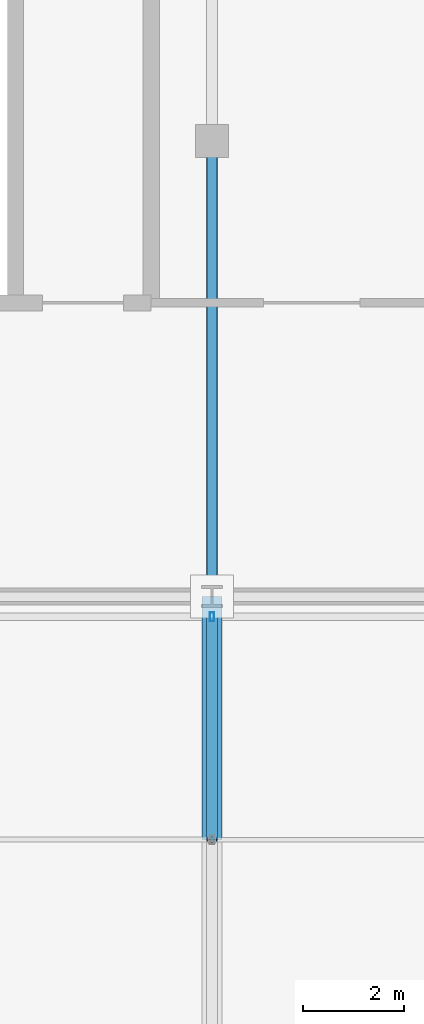
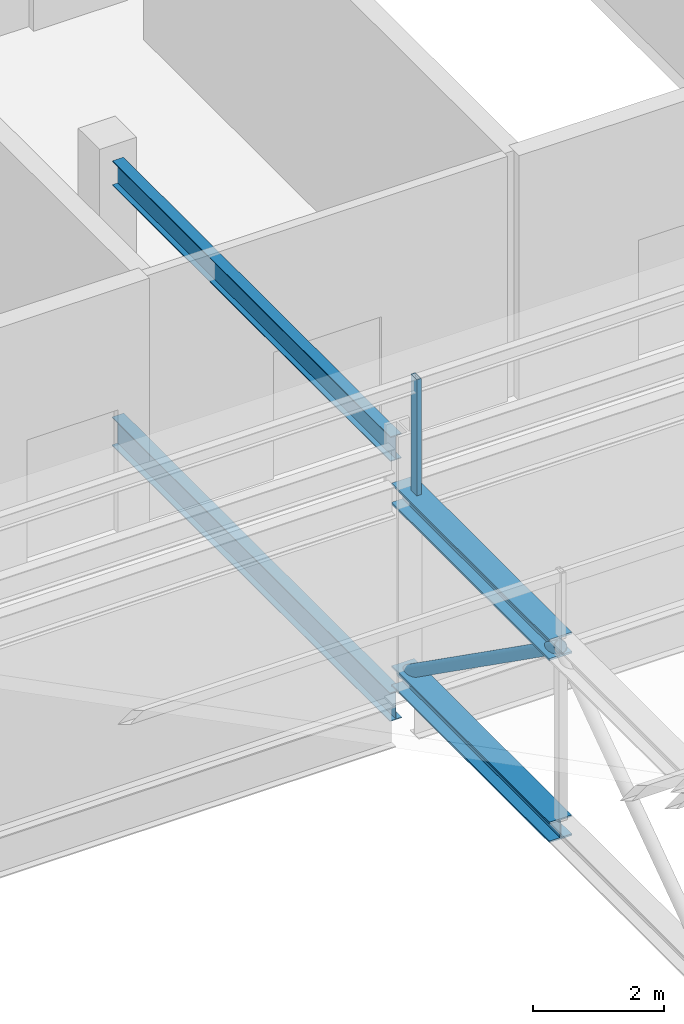
# One storey, part 73 of 136: 4 beams, 2 members.
"""IFC4 building model written with IfcOpenShell, lengths in metres."""

from ifc_helpers import new_model, si_unit, direction, frame, origin, origin_2d, place, context, subcontext, project, spatial, hollow_rectangle, hollow_circle, i_section, extrude, material, material_profile, profile_set, type_object, element, save


model = new_model("IFC4")

# Units and contexts
model_context = context("Model", 3, precision=1e-05, world=origin(), true_north=direction((0.0, 1.0)))
body_context = subcontext(model_context, "Body", "Model", "MODEL_VIEW")
ifc_project = project(units=[si_unit("LENGTHUNIT", "METRE"), si_unit("AREAUNIT", "SQUARE_METRE"), si_unit("VOLUMEUNIT", "CUBIC_METRE"), si_unit("PLANEANGLEUNIT", "RADIAN"), si_unit("MASSUNIT", "GRAM", prefix="KILO")], contexts=[model_context])

# Site, building, storey
site_placement = place(None, origin())
site = spatial("IfcSite", under=ifc_project, at=site_placement, CompositionType="ELEMENT")
building_placement = place(site_placement, origin())
building = spatial("IfcBuilding", under=site, at=building_placement, Name="Kisiwana Market Hall", CompositionType="ELEMENT")
storey_placement = place(building_placement, frame((0.0, 0.0, 16.800048828125)))
storey = spatial("IfcBuildingStorey", under=building, at=storey_placement, Name="L03", CompositionType="ELEMENT", Elevation=16.800048828125)

# Beams
ifc_material_1 = material(Name="Steel S355", Category="steel")
ifc_material_profile_1 = material_profile(ifc_material_1, i_section(OverallWidth=0.19140625, OverallDepth=0.4599609375, WebThickness=0.010009765625, FlangeThickness=0.01611328125, at=origin_2d()), Name="UB 457x191x82")
ifc_profile_set_1 = profile_set([ifc_material_profile_1], Name="Steel S355")
beam_type_1 = type_object("IfcBeamType", Name="BM-GIRD-UB457H", PredefinedType="BEAM", material=ifc_profile_set_1)
beam_1_placement = place(storey_placement, frame((135.0, 84.21337890625, 4.27783203125), z_axis=(0.0, 1.0, 0.0), x_axis=(-1.0, 0.0, 0.0)))
element("IfcBeam", 1, at=beam_1_placement, inside=storey, type_object=beam_type_1, Name="Roof girder B-1162", PredefinedType="BEAM", context=body_context, shape_type="SweptSolid", body=[
    extrude(i_section(OverallWidth=0.19140625, OverallDepth=0.4599609375, WebThickness=0.010009765625, FlangeThickness=0.01611328125, at=origin_2d()), origin(), (0.0, 0.0, 1.0), 8.465576171875),
])
ifc_material_2 = material(Name="Steel S355", Category="steel")
ifc_material_profile_2 = material_profile(ifc_material_2, i_section(OverallWidth=0.209228515625, OverallDepth=0.533203125, WebThickness=0.010009765625, FlangeThickness=0.015625, at=origin_2d()), Name="UB 533x210x92")
ifc_profile_set_2 = profile_set([ifc_material_profile_2], Name="Steel S355")
beam_type_2 = type_object("IfcBeamType", Name="BM-GIRD-UB533", PredefinedType="BEAM", material=ifc_profile_set_2)
beam_2_placement = place(storey_placement, frame((135.0, 84.21337890625, -0.5166015625), z_axis=(0.0, 1.0, 0.0), x_axis=(-1.0, 0.0, 0.0)))
element("IfcBeam", 2, at=beam_2_placement, inside=storey, type_object=beam_type_2, Name="Primary girder B-0910", PredefinedType="BEAM", context=body_context, shape_type="SweptSolid", body=[
    extrude(i_section(OverallWidth=0.209228515625, OverallDepth=0.533203125, WebThickness=0.010009765625, FlangeThickness=0.015625, at=origin_2d()), origin(), (0.0, 0.0, 1.0), 8.465576171875),
])
ifc_material_3 = material(Name="Steel S355", Category="steel")
ifc_material_profile_3 = material_profile(ifc_material_3, i_section(OverallWidth=0.394775390625, OverallDepth=0.381103515625, WebThickness=0.018310546875, FlangeThickness=0.0302734375, at=origin_2d()), Name="UC 356x406x235")
ifc_profile_set_3 = profile_set([ifc_material_profile_3], Name="Steel S355")
beam_type_3 = type_object("IfcBeamType", Name="BM-TRUSS-BOT", PredefinedType="USERDEFINED", material=ifc_profile_set_3)
beam_3_placement = place(storey_placement, frame((135.0, 79.199951171875, 0.22998046875), z_axis=(0.0, 1.0, 0.0), x_axis=(-1.0, 0.0, 0.0)))
element("IfcBeam", 3, at=beam_3_placement, inside=storey, type_object=beam_type_3, Name="TR-07 BC panel 10 B-1298", ObjectType="ROOF TRUSS", PredefinedType="USERDEFINED", context=body_context, shape_type="SweptSolid", body=[
    extrude(i_section(OverallWidth=0.394775390625, OverallDepth=0.381103515625, WebThickness=0.018310546875, FlangeThickness=0.0302734375, at=origin_2d()), origin(), (0.0, 0.0, 1.0), 4.800048828125),
])
ifc_material_4 = material(Name="Steel S355", Category="steel")
ifc_material_profile_4 = material_profile(ifc_material_4, i_section(OverallWidth=0.39892578125, OverallDepth=0.3935546875, WebThickness=0.022705078125, FlangeThickness=0.03662109375, at=origin_2d()), Name="UC 356x406x287")
ifc_profile_set_4 = profile_set([ifc_material_profile_4], Name="Steel S355")
beam_type_4 = type_object("IfcBeamType", Name="BM-TRUSS-TOP", PredefinedType="USERDEFINED", material=ifc_profile_set_4)
beam_4_placement = place(storey_placement, frame((135.0, 79.199951171875, 3.619873046875), z_axis=(0.0, 1.0, 0.0), x_axis=(-1.0, 0.0, 0.0)))
element("IfcBeam", 4, at=beam_4_placement, inside=storey, type_object=beam_type_4, Name="TR-07 TC panel 10 B-1308", ObjectType="ROOF TRUSS", PredefinedType="USERDEFINED", context=body_context, shape_type="SweptSolid", body=[
    extrude(i_section(OverallWidth=0.39892578125, OverallDepth=0.3935546875, WebThickness=0.022705078125, FlangeThickness=0.03662109375, at=origin_2d()), origin(), (0.0, 0.0, 1.0), 4.800048828125),
])

# Members
ifc_material_5 = material(Name="Steel S355", Category="steel")
ifc_material_profile_5 = material_profile(ifc_material_5, hollow_rectangle(XDim=0.080078125, YDim=0.179931640625, WallThickness=0.00634765625, at=origin_2d()), Name="RHS 180x80x6.3")
ifc_profile_set_5 = profile_set([ifc_material_profile_5], Name="Steel S355")
member_type_1 = type_object("IfcMemberType", Name="MB-CAN-STRUT", PredefinedType="STRUT", material=ifc_profile_set_5)
member_1_placement = place(storey_placement, frame((135.0, 83.60009765625, 3.619873046875), z_axis=(0.0, 0.0, 1.0), x_axis=(1.0, 0.0, 0.0)))
element("IfcMember", 5, at=member_1_placement, inside=storey, type_object=member_type_1, Name="Sawtooth raker post 346 M-0333", PredefinedType="STRUT", context=body_context, shape_type="SweptSolid", body=[
    extrude(hollow_rectangle(XDim=0.080078125, YDim=0.179931640625, WallThickness=0.00634765625, at=origin_2d()), origin(), (0.0, 0.0, 1.0), 2.355712890625),
])
ifc_material_6 = material(Name="Steel S355", Category="steel")
ifc_material_profile_6 = material_profile(ifc_material_6, hollow_circle(Radius=0.109619140625, WallThickness=0.012451171875, at=origin_2d()), Name="CHS 219.1x12.5")
ifc_profile_set_6 = profile_set([ifc_material_profile_6], Name="Steel S355")
member_type_2 = type_object("IfcMemberType", Name="MB-TR-DIAG219", PredefinedType="BRACE", material=ifc_profile_set_6)
member_2_placement = place(storey_placement, frame((135.0, 79.199951171875, 3.619873046875), z_axis=(0.0, 0.816837735077, -0.576867501732), x_axis=(-1.0, 0.0, 0.0)))
element("IfcMember", 6, at=member_2_placement, inside=storey, type_object=member_type_2, Name="TR-07 diagonal 10 M-0450", PredefinedType="BRACE", context=body_context, shape_type="SweptSolid", body=[
    extrude(hollow_circle(Radius=0.109619140625, WallThickness=0.012451171875, at=origin_2d()), origin(), (0.0, 0.0, 1.0), 5.87646484375),
])

save(model, "model.ifc")
